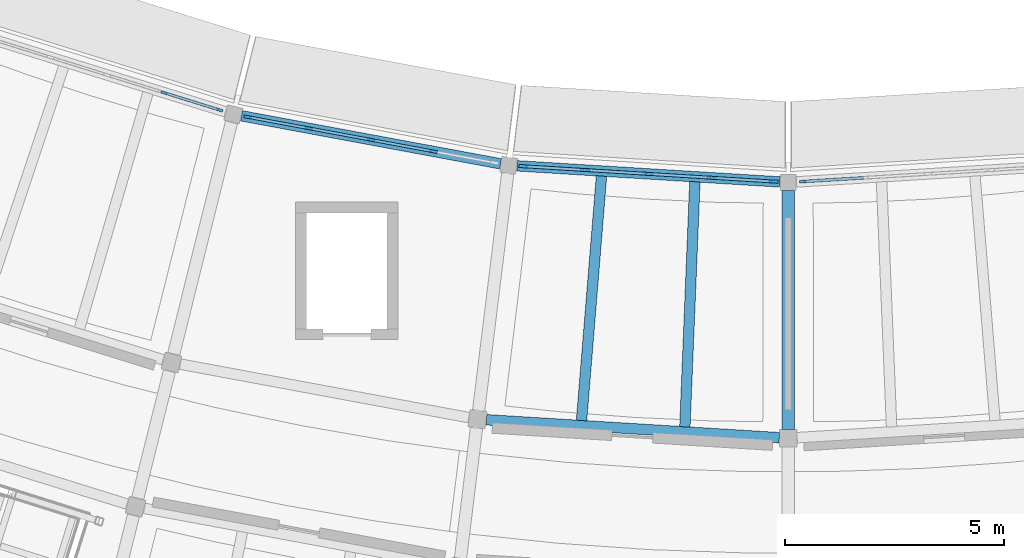
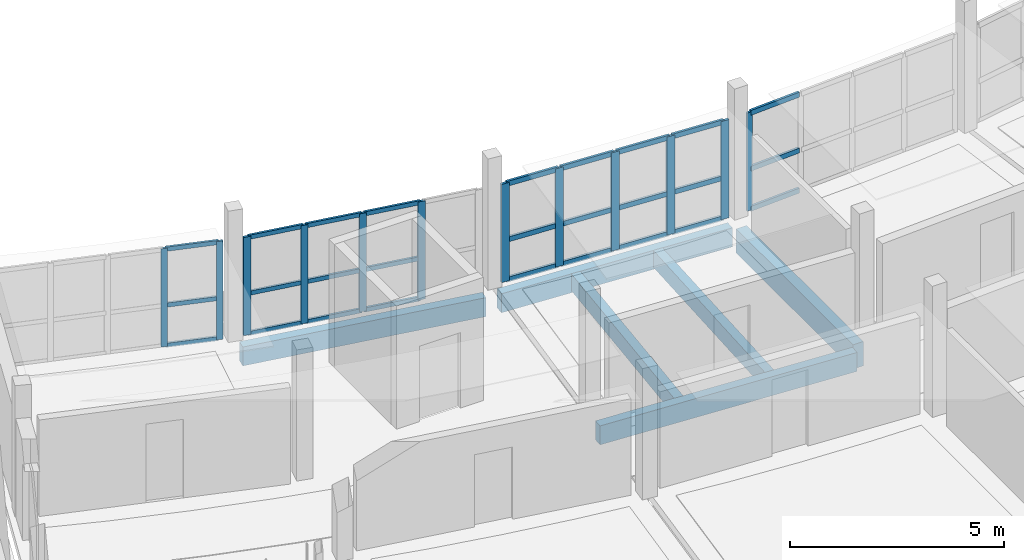
# One storey, part 13 of 36: 39 members, 6 beams, 4 elements without a shape of their own.
"""IFC4 building model written with IfcOpenShell, lengths in metres."""

from ifc_helpers import new_model, si_unit, direction, frame, origin, origin_2d, place, context, subcontext, project, spatial, rectangle, extrude, material, layer, layer_set, material_profile, profile_set, type_object, element, aggregate, save


model = new_model("IFC4")

# Units and contexts
model_context = context("Model", 3, precision=1e-05, world=origin(), true_north=direction((0.0, 1.0)))
body_context = subcontext(model_context, "Body", "Model", "MODEL_VIEW")
ifc_project = project(units=[si_unit("LENGTHUNIT", "METRE"), si_unit("AREAUNIT", "SQUARE_METRE"), si_unit("VOLUMEUNIT", "CUBIC_METRE"), si_unit("PLANEANGLEUNIT", "RADIAN"), si_unit("MASSUNIT", "GRAM", prefix="KILO")], contexts=[model_context])

# Site, building, storey
site_placement = place(None, origin())
site = spatial("IfcSite", under=ifc_project, at=site_placement, CompositionType="ELEMENT")
building_placement = place(site_placement, origin())
building = spatial("IfcBuilding", under=site, at=building_placement, Name="Caldaven Crescent School", CompositionType="ELEMENT")
storey_placement = place(building_placement, frame((0.0, 0.0, 11.89990234375)))
storey = spatial("IfcBuildingStorey", under=building, at=storey_placement, Name="L03", CompositionType="ELEMENT", Elevation=11.89990234375)

# Beams
ifc_material_1 = material(Name="Glulam MLE24h (GL28h)", Category="wood")
ifc_material_profile_1 = material_profile(ifc_material_1, rectangle(XDim=0.239990234375, YDim=0.5400390625, at=origin_2d()), Name="MLE 240x540")
ifc_profile_set_1 = profile_set([ifc_material_profile_1], Name="Glulam MLE24h (GL28h)")
beam_type_1 = type_object("IfcBeamType", Name="BM-GL54", PredefinedType="BEAM", material=ifc_profile_set_1)
beam_1_placement = place(storey_placement, frame((81.099609375, 38.1220703125, -0.52001953125), z_axis=(0.998133569693, -0.061068625755, 0.0), x_axis=(0.061068625755, 0.998133569693, 0.0)))
element("IfcBeam", 1, at=beam_1_placement, inside=storey, type_object=beam_type_1, Name="BMT-V5-L03-1435", PredefinedType="BEAM", context=body_context, shape_type="SweptSolid", body=[
    extrude(rectangle(XDim=0.239990234375, YDim=0.5400390625, at=origin_2d()), origin(), (0.0, 0.0, 1.0), 6.708251953125),
])
ifc_material_profile_2 = material_profile(ifc_material_1, rectangle(XDim=0.280029296875, YDim=0.68994140625, at=origin_2d()), Name="MLE 280x690")
ifc_profile_set_2 = profile_set([ifc_material_profile_2], Name="Glulam MLE24h (GL28h)")
beam_type_2 = type_object("IfcBeamType", Name="BM-GL69", PredefinedType="BEAM", material=ifc_profile_set_2)
beam_2_placement = place(storey_placement, frame((88.0, 43.360107421875, -0.594970703125), z_axis=(0.0, -1.0, 0.0), x_axis=(1.0, 0.0, 0.0)))
element("IfcBeam", 2, at=beam_2_placement, inside=storey, type_object=beam_type_2, Name="BMR-V5-L03-1404", PredefinedType="BEAM", context=body_context, shape_type="SweptSolid", body=[
    extrude(rectangle(XDim=0.280029296875, YDim=0.68994140625, at=origin_2d()), origin(), (0.0, 0.0, 1.0), 5.455078125),
])

# Curtain wall, members
ifc_material_2 = material(Name="Anodised aluminium AA 6063-T6 and low-E double glazing", Category="aluminium")
ifc_layer_1 = layer(ifc_material_2, 0.2099609375)
ifc_layer_set_1 = layer_set([ifc_layer_1], Name="Anodised aluminium AA 6063-T6 and low-E double glazing")
curtain_wall_type_1 = type_object("IfcCurtainWallType", Name="CW-SYS3", PredefinedType="NOTDEFINED", material=ifc_layer_set_1)
curtain_wall_1_placement = place(storey_placement, origin())
curtain_wall_1 = element("IfcCurtainWall", 3, at=curtain_wall_1_placement, inside=storey, type_object=curtain_wall_type_1, Name="CW-L03-155", PredefinedType="NOTDEFINED")
ifc_material_3 = material(Name="Anodised aluminium AA 6063-T6", Category="aluminium")
ifc_material_profile_3 = material_profile(ifc_material_3, rectangle(XDim=0.06005859375, YDim=0.14990234375, at=origin_2d()), Name="CWM 60x150")
ifc_profile_set_3 = profile_set([ifc_material_profile_3], Name="Anodised aluminium AA 6063-T6")
member_type_1 = type_object("IfcMemberType", Name="CWM-T1", PredefinedType="MULLION", material=ifc_profile_set_3)
member_1_placement = place(storey_placement, frame((73.7255859375, 45.60205078125, 0.0), z_axis=(0.0, 0.0, 1.0), x_axis=(0.297419758694, 0.954746818344, 0.0)))
member_1 = element("IfcMember", 4, at=member_1_placement, type_object=member_type_1, Name="CW3 mullion 4", PredefinedType="MULLION", context=body_context, shape_type="SweptSolid", body=[
    extrude(rectangle(XDim=0.06005859375, YDim=0.14990234375, at=origin_2d()), origin(), (0.0, 0.0, 1.0), 2.800048828125),
])
member_2_placement = place(storey_placement, frame((74.99609375, 45.2060546875, 0.0), z_axis=(0.0, 0.0, 1.0), x_axis=(0.297419758694, 0.954746818344, 0.0)))
member_2 = element("IfcMember", 5, at=member_2_placement, type_object=member_type_1, Name="CW3 mullion 5", PredefinedType="MULLION", context=body_context, shape_type="SweptSolid", body=[
    extrude(rectangle(XDim=0.06005859375, YDim=0.14990234375, at=origin_2d()), origin(), (0.0, 0.0, 1.0), 2.800048828125),
])

# Curtain wall, member
ifc_layer_2 = layer(ifc_material_2, 0.18994140625)
ifc_layer_set_2 = layer_set([ifc_layer_2], Name="Anodised aluminium AA 6063-T6 and low-E double glazing")
curtain_wall_type_2 = type_object("IfcCurtainWallType", Name="CW-SYS2", PredefinedType="NOTDEFINED", material=ifc_layer_set_2)
curtain_wall_2_placement = place(storey_placement, origin())
curtain_wall_2 = element("IfcCurtainWall", 6, at=curtain_wall_2_placement, inside=storey, type_object=curtain_wall_type_2, Name="CW-L03-160", PredefinedType="NOTDEFINED")
member_3_placement = place(storey_placement, frame((88.329345703125, 43.570068359375, 0.0), z_axis=(0.0, 0.0, 1.0), x_axis=(-0.061049319496, 0.998134750717, 0.0)))
member_3 = element("IfcMember", 7, at=member_3_placement, type_object=member_type_1, Name="CW2 mullion 1", PredefinedType="MULLION", context=body_context, shape_type="SweptSolid", body=[
    extrude(rectangle(XDim=0.06005859375, YDim=0.14990234375, at=origin_2d()), origin(), (0.0, 0.0, 1.0), 2.800048828125),
])

# Curtain wall, members
ifc_layer_3 = layer(ifc_material_2, 0.22998046875)
ifc_layer_set_3 = layer_set([ifc_layer_3], Name="Anodised aluminium AA 6063-T6 and low-E double glazing")
curtain_wall_type_3 = type_object("IfcCurtainWallType", Name="CW-SYS4", PredefinedType="NOTDEFINED", material=ifc_layer_set_3)
curtain_wall_3_placement = place(storey_placement, origin())
curtain_wall_3 = element("IfcCurtainWall", 8, at=curtain_wall_3_placement, inside=storey, type_object=curtain_wall_type_3, Name="CW-L03-157", PredefinedType="NOTDEFINED")
ifc_material_profile_4 = material_profile(ifc_material_3, rectangle(XDim=0.06494140625, YDim=0.179931640625, at=origin_2d()), Name="CWM 65x180")
ifc_profile_set_4 = profile_set([ifc_material_profile_4], Name="Anodised aluminium AA 6063-T6")
member_type_2 = type_object("IfcMemberType", Name="CWM-T2", PredefinedType="MULLION", material=ifc_profile_set_4)
member_4_placement = place(storey_placement, frame((75.63818359375, 45.04736328125, 0.0), z_axis=(0.0, 0.0, 1.0), x_axis=(0.182236405836, 0.983254744401, 0.0)))
member_4 = element("IfcMember", 9, at=member_4_placement, type_object=member_type_2, Name="CW4 mullion 1", PredefinedType="MULLION", context=body_context, shape_type="SweptSolid", body=[
    extrude(rectangle(XDim=0.06494140625, YDim=0.179931640625, at=origin_2d()), origin(), (0.0, 0.0, 1.0), 2.800048828125),
])
member_5_placement = place(storey_placement, frame((77.032958984375, 44.788818359375, 0.0), z_axis=(0.0, 0.0, 1.0), x_axis=(0.182236405836, 0.983254744401, 0.0)))
member_5 = element("IfcMember", 10, at=member_5_placement, type_object=member_type_2, Name="CW4 mullion 2", PredefinedType="MULLION", context=body_context, shape_type="SweptSolid", body=[
    extrude(rectangle(XDim=0.06494140625, YDim=0.179931640625, at=origin_2d()), origin(), (0.0, 0.0, 1.0), 2.800048828125),
])
member_6_placement = place(storey_placement, frame((78.45947265625, 44.5244140625, 0.0), z_axis=(0.0, 0.0, 1.0), x_axis=(0.182236405836, 0.983254744401, 0.0)))
member_6 = element("IfcMember", 11, at=member_6_placement, type_object=member_type_2, Name="CW4 mullion 3", PredefinedType="MULLION", context=body_context, shape_type="SweptSolid", body=[
    extrude(rectangle(XDim=0.06494140625, YDim=0.179931640625, at=origin_2d()), origin(), (0.0, 0.0, 1.0), 2.800048828125),
])
member_7_placement = place(storey_placement, frame((79.88623046875, 44.260009765625, 0.0), z_axis=(0.0, 0.0, 1.0), x_axis=(0.182236405836, 0.983254744401, 0.0)))
member_7 = element("IfcMember", 12, at=member_7_placement, type_object=member_type_2, Name="CW4 mullion 4", PredefinedType="MULLION", context=body_context, shape_type="SweptSolid", body=[
    extrude(rectangle(XDim=0.06494140625, YDim=0.179931640625, at=origin_2d()), origin(), (0.0, 0.0, 1.0), 2.800048828125),
])

ifc_layer_4 = layer(ifc_material_2, 0.169921875)
ifc_layer_set_4 = layer_set([ifc_layer_4], Name="Anodised aluminium AA 6063-T6 and low-E double glazing")
curtain_wall_type_4 = type_object("IfcCurtainWallType", Name="CW-SYS1", PredefinedType="NOTDEFINED", material=ifc_layer_set_4)
curtain_wall_4_placement = place(storey_placement, origin())
curtain_wall_4 = element("IfcCurtainWall", 13, at=curtain_wall_4_placement, inside=storey, type_object=curtain_wall_type_4, Name="CW-L03-158", PredefinedType="NOTDEFINED")
ifc_material_profile_5 = material_profile(ifc_material_3, rectangle(XDim=0.070068359375, YDim=0.2099609375, at=origin_2d()), Name="CWM 70x210")
ifc_profile_set_5 = profile_set([ifc_material_profile_5], Name="Anodised aluminium AA 6063-T6")
member_type_3 = type_object("IfcMemberType", Name="CWM-T3", PredefinedType="MULLION", material=ifc_profile_set_5)
member_8_placement = place(storey_placement, frame((81.9423828125, 43.92041015625, 0.0), z_axis=(0.0, 0.0, 1.0), x_axis=(0.061049319496, 0.998134750717, 0.0)))
member_8 = element("IfcMember", 14, at=member_8_placement, type_object=member_type_3, Name="CW1 mullion 1", PredefinedType="MULLION", context=body_context, shape_type="SweptSolid", body=[
    extrude(rectangle(XDim=0.070068359375, YDim=0.2099609375, at=origin_2d()), origin(), (0.0, 0.0, 1.0), 2.800048828125),
])
member_9_placement = place(storey_placement, frame((83.355712890625, 43.833984375, 0.0), z_axis=(0.0, 0.0, 1.0), x_axis=(0.061049319496, 0.998134750717, 0.0)))
member_9 = element("IfcMember", 15, at=member_9_placement, type_object=member_type_3, Name="CW1 mullion 2", PredefinedType="MULLION", context=body_context, shape_type="SweptSolid", body=[
    extrude(rectangle(XDim=0.070068359375, YDim=0.2099609375, at=origin_2d()), origin(), (0.0, 0.0, 1.0), 2.800048828125),
])
member_10_placement = place(storey_placement, frame((84.803955078125, 43.745361328125, 0.0), z_axis=(0.0, 0.0, 1.0), x_axis=(0.061049319496, 0.998134750717, 0.0)))
member_10 = element("IfcMember", 16, at=member_10_placement, type_object=member_type_3, Name="CW1 mullion 3", PredefinedType="MULLION", context=body_context, shape_type="SweptSolid", body=[
    extrude(rectangle(XDim=0.070068359375, YDim=0.2099609375, at=origin_2d()), origin(), (0.0, 0.0, 1.0), 2.800048828125),
])
member_11_placement = place(storey_placement, frame((86.252197265625, 43.656982421875, 0.0), z_axis=(0.0, 0.0, 1.0), x_axis=(0.061049319496, 0.998134750717, 0.0)))
member_11 = element("IfcMember", 17, at=member_11_placement, type_object=member_type_3, Name="CW1 mullion 4", PredefinedType="MULLION", context=body_context, shape_type="SweptSolid", body=[
    extrude(rectangle(XDim=0.070068359375, YDim=0.2099609375, at=origin_2d()), origin(), (0.0, 0.0, 1.0), 2.800048828125),
])
member_12_placement = place(storey_placement, frame((87.66552734375, 43.570556640625, 0.0), z_axis=(0.0, 0.0, 1.0), x_axis=(0.061049319496, 0.998134750717, 0.0)))
member_12 = element("IfcMember", 18, at=member_12_placement, type_object=member_type_3, Name="CW1 mullion 5", PredefinedType="MULLION", context=body_context, shape_type="SweptSolid", body=[
    extrude(rectangle(XDim=0.070068359375, YDim=0.2099609375, at=origin_2d()), origin(), (0.0, 0.0, 1.0), 2.800048828125),
])

# Member
ifc_material_profile_6 = material_profile(ifc_material_3, rectangle(XDim=0.06005859375, YDim=0.1201171875, at=origin_2d()), Name="CWT 60x120")
ifc_profile_set_6 = profile_set([ifc_material_profile_6], Name="Anodised aluminium AA 6063-T6")
member_type_4 = type_object("IfcMemberType", Name="CWT-T1", PredefinedType="USERDEFINED", material=ifc_profile_set_6)
member_13_placement = place(storey_placement, frame((73.754150390625, 45.593017578125, 0.030029296875), z_axis=(0.954759851562, -0.297377917549, 0.0), x_axis=(0.297377917549, 0.954759851562, 0.0)))
member_13 = element("IfcMember", 19, at=member_13_placement, type_object=member_type_4, Name="CW3 transom 4.1", ObjectType="TRANSOM", PredefinedType="USERDEFINED", context=body_context, shape_type="SweptSolid", body=[
    extrude(rectangle(XDim=0.06005859375, YDim=0.1201171875, at=origin_2d()), origin(), (0.0, 0.0, 1.0), 1.270751953125),
])

member_14_placement = place(storey_placement, frame((73.754150390625, 45.593017578125, 1.176025390625), z_axis=(0.954759851562, -0.297377917549, 0.0), x_axis=(0.297377917549, 0.954759851562, 0.0)))
member_14 = element("IfcMember", 20, at=member_14_placement, type_object=member_type_4, Name="CW3 transom 4.2", ObjectType="TRANSOM", PredefinedType="USERDEFINED", context=body_context, shape_type="SweptSolid", body=[
    extrude(rectangle(XDim=0.06005859375, YDim=0.1201171875, at=origin_2d()), origin(), (0.0, 0.0, 1.0), 1.270751953125),
])

member_15_placement = place(storey_placement, frame((73.754150390625, 45.593017578125, 2.77001953125), z_axis=(0.954759851562, -0.297377917549, 0.0), x_axis=(0.297377917549, 0.954759851562, 0.0)))
member_15 = element("IfcMember", 21, at=member_15_placement, type_object=member_type_4, Name="CW3 transom 4.3", ObjectType="TRANSOM", PredefinedType="USERDEFINED", context=body_context, shape_type="SweptSolid", body=[
    extrude(rectangle(XDim=0.06005859375, YDim=0.1201171875, at=origin_2d()), origin(), (0.0, 0.0, 1.0), 1.270751953125),
])

aggregate(curtain_wall_1, [member_1, member_2, member_13, member_14, member_15])

member_16_placement = place(storey_placement, frame((75.670166015625, 45.04150390625, 0.030029296875), z_axis=(0.983264057672, -0.182186149009, 0.0), x_axis=(0.182186149009, 0.983264057672, 0.0)))
member_16 = element("IfcMember", 22, at=member_16_placement, type_object=member_type_4, Name="CW4 transom 1.1", ObjectType="TRANSOM", PredefinedType="USERDEFINED", context=body_context, shape_type="SweptSolid", body=[
    extrude(rectangle(XDim=0.06005859375, YDim=0.1201171875, at=origin_2d()), origin(), (0.0, 0.0, 1.0), 1.353515625),
])

member_17_placement = place(storey_placement, frame((75.670166015625, 45.04150390625, 1.176025390625), z_axis=(0.983264057672, -0.182186149009, 0.0), x_axis=(0.182186149009, 0.983264057672, 0.0)))
member_17 = element("IfcMember", 23, at=member_17_placement, type_object=member_type_4, Name="CW4 transom 1.2", ObjectType="TRANSOM", PredefinedType="USERDEFINED", context=body_context, shape_type="SweptSolid", body=[
    extrude(rectangle(XDim=0.06005859375, YDim=0.1201171875, at=origin_2d()), origin(), (0.0, 0.0, 1.0), 1.353515625),
])

member_18_placement = place(storey_placement, frame((75.670166015625, 45.04150390625, 2.77001953125), z_axis=(0.983264057672, -0.182186149009, 0.0), x_axis=(0.182186149009, 0.983264057672, 0.0)))
member_18 = element("IfcMember", 24, at=member_18_placement, type_object=member_type_4, Name="CW4 transom 1.3", ObjectType="TRANSOM", PredefinedType="USERDEFINED", context=body_context, shape_type="SweptSolid", body=[
    extrude(rectangle(XDim=0.06005859375, YDim=0.1201171875, at=origin_2d()), origin(), (0.0, 0.0, 1.0), 1.353515625),
])

member_19_placement = place(storey_placement, frame((77.06494140625, 44.782958984375, 0.030029296875), z_axis=(0.983241097753, -0.182310020812, 0.0), x_axis=(0.182310020812, 0.983241097753, 0.0)))
member_19 = element("IfcMember", 25, at=member_19_placement, type_object=member_type_4, Name="CW4 transom 2.1", ObjectType="TRANSOM", PredefinedType="USERDEFINED", context=body_context, shape_type="SweptSolid", body=[
    extrude(rectangle(XDim=0.06005859375, YDim=0.1201171875, at=origin_2d()), origin(), (0.0, 0.0, 1.0), 1.385986328125),
])

member_20_placement = place(storey_placement, frame((77.06494140625, 44.782958984375, 1.176025390625), z_axis=(0.983241097753, -0.182310020812, 0.0), x_axis=(0.182310020812, 0.983241097753, 0.0)))
member_20 = element("IfcMember", 26, at=member_20_placement, type_object=member_type_4, Name="CW4 transom 2.2", ObjectType="TRANSOM", PredefinedType="USERDEFINED", context=body_context, shape_type="SweptSolid", body=[
    extrude(rectangle(XDim=0.06005859375, YDim=0.1201171875, at=origin_2d()), origin(), (0.0, 0.0, 1.0), 1.385986328125),
])

member_21_placement = place(storey_placement, frame((77.06494140625, 44.782958984375, 2.77001953125), z_axis=(0.983241097753, -0.182310020812, 0.0), x_axis=(0.182310020812, 0.983241097753, 0.0)))
member_21 = element("IfcMember", 27, at=member_21_placement, type_object=member_type_4, Name="CW4 transom 2.3", ObjectType="TRANSOM", PredefinedType="USERDEFINED", context=body_context, shape_type="SweptSolid", body=[
    extrude(rectangle(XDim=0.06005859375, YDim=0.1201171875, at=origin_2d()), origin(), (0.0, 0.0, 1.0), 1.385986328125),
])

member_22_placement = place(storey_placement, frame((78.491455078125, 44.5185546875, 0.030029296875), z_axis=(0.983241097753, -0.182310020812, 0.0), x_axis=(0.182310020812, 0.983241097753, 0.0)))
member_22 = element("IfcMember", 28, at=member_22_placement, type_object=member_type_4, Name="CW4 transom 3.1", ObjectType="TRANSOM", PredefinedType="USERDEFINED", context=body_context, shape_type="SweptSolid", body=[
    extrude(rectangle(XDim=0.06005859375, YDim=0.1201171875, at=origin_2d()), origin(), (0.0, 0.0, 1.0), 1.385986328125),
])

member_23_placement = place(storey_placement, frame((78.491455078125, 44.5185546875, 1.176025390625), z_axis=(0.983241097753, -0.182310020812, 0.0), x_axis=(0.182310020812, 0.983241097753, 0.0)))
member_23 = element("IfcMember", 29, at=member_23_placement, type_object=member_type_4, Name="CW4 transom 3.2", ObjectType="TRANSOM", PredefinedType="USERDEFINED", context=body_context, shape_type="SweptSolid", body=[
    extrude(rectangle(XDim=0.06005859375, YDim=0.1201171875, at=origin_2d()), origin(), (0.0, 0.0, 1.0), 1.385986328125),
])

member_24_placement = place(storey_placement, frame((78.491455078125, 44.5185546875, 2.77001953125), z_axis=(0.983241097753, -0.182310020812, 0.0), x_axis=(0.182310020812, 0.983241097753, 0.0)))
member_24 = element("IfcMember", 30, at=member_24_placement, type_object=member_type_4, Name="CW4 transom 3.3", ObjectType="TRANSOM", PredefinedType="USERDEFINED", context=body_context, shape_type="SweptSolid", body=[
    extrude(rectangle(XDim=0.06005859375, YDim=0.1201171875, at=origin_2d()), origin(), (0.0, 0.0, 1.0), 1.385986328125),
])

aggregate(curtain_wall_3, [member_4, member_5, member_6, member_7, member_16, member_17, member_18, member_19, member_20, member_21, member_22, member_23, member_24])

ifc_material_profile_7 = material_profile(ifc_material_3, rectangle(XDim=0.06494140625, YDim=0.139892578125, at=origin_2d()), Name="CWT 65x140")
ifc_profile_set_7 = profile_set([ifc_material_profile_7], Name="Anodised aluminium AA 6063-T6")
member_type_5 = type_object("IfcMemberType", Name="CWT-T2", PredefinedType="USERDEFINED", material=ifc_profile_set_7)
member_25_placement = place(storey_placement, frame((81.977294921875, 43.91845703125, 0.03271484375), z_axis=(0.998130130323, -0.06112481445, 0.0), x_axis=(0.06112481445, 0.998130130323, 0.0)))
member_25 = element("IfcMember", 31, at=member_25_placement, type_object=member_type_5, Name="CW1 transom 1.1", ObjectType="TRANSOM", PredefinedType="USERDEFINED", context=body_context, shape_type="SweptSolid", body=[
    extrude(rectangle(XDim=0.06494140625, YDim=0.139892578125, at=origin_2d()), origin(), (0.0, 0.0, 1.0), 1.345947265625),
])

member_26_placement = place(storey_placement, frame((81.977294921875, 43.91845703125, 1.176025390625), z_axis=(0.998130130323, -0.06112481445, 0.0), x_axis=(0.06112481445, 0.998130130323, 0.0)))
member_26 = element("IfcMember", 32, at=member_26_placement, type_object=member_type_5, Name="CW1 transom 1.2", ObjectType="TRANSOM", PredefinedType="USERDEFINED", context=body_context, shape_type="SweptSolid", body=[
    extrude(rectangle(XDim=0.06494140625, YDim=0.139892578125, at=origin_2d()), origin(), (0.0, 0.0, 1.0), 1.345947265625),
])

member_27_placement = place(storey_placement, frame((81.977294921875, 43.91845703125, 2.767578125), z_axis=(0.998130130323, -0.06112481445, 0.0), x_axis=(0.06112481445, 0.998130130323, 0.0)))
member_27 = element("IfcMember", 33, at=member_27_placement, type_object=member_type_5, Name="CW1 transom 1.3", ObjectType="TRANSOM", PredefinedType="USERDEFINED", context=body_context, shape_type="SweptSolid", body=[
    extrude(rectangle(XDim=0.06494140625, YDim=0.139892578125, at=origin_2d()), origin(), (0.0, 0.0, 1.0), 1.345947265625),
])

member_28_placement = place(storey_placement, frame((83.390625, 43.83203125, 0.03271484375), z_axis=(0.998127510881, -0.061167573285, 0.0), x_axis=(0.061167573285, 0.998127510881, 0.0)))
member_28 = element("IfcMember", 34, at=member_28_placement, type_object=member_type_5, Name="CW1 transom 2.1", ObjectType="TRANSOM", PredefinedType="USERDEFINED", context=body_context, shape_type="SweptSolid", body=[
    extrude(rectangle(XDim=0.06494140625, YDim=0.139892578125, at=origin_2d()), origin(), (0.0, 0.0, 1.0), 1.381103515625),
])

member_29_placement = place(storey_placement, frame((83.390625, 43.83203125, 1.176025390625), z_axis=(0.998127510881, -0.061167573285, 0.0), x_axis=(0.061167573285, 0.998127510881, 0.0)))
member_29 = element("IfcMember", 35, at=member_29_placement, type_object=member_type_5, Name="CW1 transom 2.2", ObjectType="TRANSOM", PredefinedType="USERDEFINED", context=body_context, shape_type="SweptSolid", body=[
    extrude(rectangle(XDim=0.06494140625, YDim=0.139892578125, at=origin_2d()), origin(), (0.0, 0.0, 1.0), 1.381103515625),
])

member_30_placement = place(storey_placement, frame((83.390625, 43.83203125, 2.767578125), z_axis=(0.998127510881, -0.061167573285, 0.0), x_axis=(0.061167573285, 0.998127510881, 0.0)))
member_30 = element("IfcMember", 36, at=member_30_placement, type_object=member_type_5, Name="CW1 transom 2.3", ObjectType="TRANSOM", PredefinedType="USERDEFINED", context=body_context, shape_type="SweptSolid", body=[
    extrude(rectangle(XDim=0.06494140625, YDim=0.139892578125, at=origin_2d()), origin(), (0.0, 0.0, 1.0), 1.381103515625),
])

member_31_placement = place(storey_placement, frame((84.8388671875, 43.743408203125, 0.03271484375), z_axis=(0.998127510881, -0.061167573285, 0.0), x_axis=(0.061167573285, 0.998127510881, 0.0)))
member_31 = element("IfcMember", 37, at=member_31_placement, type_object=member_type_5, Name="CW1 transom 3.1", ObjectType="TRANSOM", PredefinedType="USERDEFINED", context=body_context, shape_type="SweptSolid", body=[
    extrude(rectangle(XDim=0.06494140625, YDim=0.139892578125, at=origin_2d()), origin(), (0.0, 0.0, 1.0), 1.381103515625),
])

member_32_placement = place(storey_placement, frame((84.8388671875, 43.743408203125, 1.176025390625), z_axis=(0.998127510881, -0.061167573285, 0.0), x_axis=(0.061167573285, 0.998127510881, 0.0)))
member_32 = element("IfcMember", 38, at=member_32_placement, type_object=member_type_5, Name="CW1 transom 3.2", ObjectType="TRANSOM", PredefinedType="USERDEFINED", context=body_context, shape_type="SweptSolid", body=[
    extrude(rectangle(XDim=0.06494140625, YDim=0.139892578125, at=origin_2d()), origin(), (0.0, 0.0, 1.0), 1.381103515625),
])

member_33_placement = place(storey_placement, frame((84.8388671875, 43.743408203125, 2.767578125), z_axis=(0.998127510881, -0.061167573285, 0.0), x_axis=(0.061167573285, 0.998127510881, 0.0)))
member_33 = element("IfcMember", 39, at=member_33_placement, type_object=member_type_5, Name="CW1 transom 3.3", ObjectType="TRANSOM", PredefinedType="USERDEFINED", context=body_context, shape_type="SweptSolid", body=[
    extrude(rectangle(XDim=0.06494140625, YDim=0.139892578125, at=origin_2d()), origin(), (0.0, 0.0, 1.0), 1.381103515625),
])

member_34_placement = place(storey_placement, frame((86.287109375, 43.65478515625, 0.03271484375), z_axis=(0.998130130323, -0.06112481445, 0.0), x_axis=(0.06112481445, 0.998130130323, 0.0)))
member_34 = element("IfcMember", 40, at=member_34_placement, type_object=member_type_5, Name="CW1 transom 4.1", ObjectType="TRANSOM", PredefinedType="USERDEFINED", context=body_context, shape_type="SweptSolid", body=[
    extrude(rectangle(XDim=0.06494140625, YDim=0.139892578125, at=origin_2d()), origin(), (0.0, 0.0, 1.0), 1.345947265625),
])

member_35_placement = place(storey_placement, frame((86.287109375, 43.65478515625, 1.176025390625), z_axis=(0.998130130323, -0.06112481445, 0.0), x_axis=(0.06112481445, 0.998130130323, 0.0)))
member_35 = element("IfcMember", 41, at=member_35_placement, type_object=member_type_5, Name="CW1 transom 4.2", ObjectType="TRANSOM", PredefinedType="USERDEFINED", context=body_context, shape_type="SweptSolid", body=[
    extrude(rectangle(XDim=0.06494140625, YDim=0.139892578125, at=origin_2d()), origin(), (0.0, 0.0, 1.0), 1.345947265625),
])

member_36_placement = place(storey_placement, frame((86.287109375, 43.65478515625, 2.767578125), z_axis=(0.998130130323, -0.06112481445, 0.0), x_axis=(0.06112481445, 0.998130130323, 0.0)))
member_36 = element("IfcMember", 42, at=member_36_placement, type_object=member_type_5, Name="CW1 transom 4.3", ObjectType="TRANSOM", PredefinedType="USERDEFINED", context=body_context, shape_type="SweptSolid", body=[
    extrude(rectangle(XDim=0.06494140625, YDim=0.139892578125, at=origin_2d()), origin(), (0.0, 0.0, 1.0), 1.345947265625),
])

aggregate(curtain_wall_4, [member_8, member_9, member_10, member_11, member_12, member_25, member_26, member_27, member_28, member_29, member_30, member_31, member_32, member_33, member_34, member_35, member_36])

member_37_placement = place(storey_placement, frame((88.359375, 43.572021484375, 0.03271484375), z_axis=(0.998138172654, 0.06099334628, 0.0), x_axis=(-0.06099334628, 0.998138172654, 0.0)))
member_37 = element("IfcMember", 43, at=member_37_placement, type_object=member_type_5, Name="CW2 transom 1.1", ObjectType="TRANSOM", PredefinedType="USERDEFINED", context=body_context, shape_type="SweptSolid", body=[
    extrude(rectangle(XDim=0.06494140625, YDim=0.139892578125, at=origin_2d()), origin(), (0.0, 0.0, 1.0), 1.36083984375),
])

member_38_placement = place(storey_placement, frame((88.359375, 43.572021484375, 1.176025390625), z_axis=(0.998138172654, 0.06099334628, 0.0), x_axis=(-0.06099334628, 0.998138172654, 0.0)))
member_38 = element("IfcMember", 44, at=member_38_placement, type_object=member_type_5, Name="CW2 transom 1.2", ObjectType="TRANSOM", PredefinedType="USERDEFINED", context=body_context, shape_type="SweptSolid", body=[
    extrude(rectangle(XDim=0.06494140625, YDim=0.139892578125, at=origin_2d()), origin(), (0.0, 0.0, 1.0), 1.36083984375),
])

member_39_placement = place(storey_placement, frame((88.359375, 43.572021484375, 2.767578125), z_axis=(0.998138172654, 0.06099334628, 0.0), x_axis=(-0.06099334628, 0.998138172654, 0.0)))
member_39 = element("IfcMember", 45, at=member_39_placement, type_object=member_type_5, Name="CW2 transom 1.3", ObjectType="TRANSOM", PredefinedType="USERDEFINED", context=body_context, shape_type="SweptSolid", body=[
    extrude(rectangle(XDim=0.06494140625, YDim=0.139892578125, at=origin_2d()), origin(), (0.0, 0.0, 1.0), 1.36083984375),
])

aggregate(curtain_wall_2, [member_3, member_37, member_38, member_39])

# Beams
ifc_material_profile_8 = material_profile(ifc_material_1, rectangle(XDim=0.239990234375, YDim=0.47998046875, at=origin_2d()), Name="MLE 240x480")
ifc_profile_set_8 = profile_set([ifc_material_profile_8], Name="Glulam MLE24h (GL28h)")
beam_type_3 = type_object("IfcBeamType", Name="JS-GL48", PredefinedType="JOIST", material=ifc_profile_set_8)
for number, where, z_axis, x_axis, name in (
    (46, (83.729248046875, 43.696044921875, -0.489990234375), (-0.081374360202, -0.996683607521, 0.0), (0.996683607521, -0.081374360202, 0.0), "JSR-V5-L03-1439"),
    (47, (85.86474609375, 43.5654296875, -0.489990234375), (-0.040730946432, -0.999170150676, 0.0), (0.999170150676, -0.040730946432, 0.0), "JSR-V5-L03-1441"),
):
    element("IfcBeam", number, at=place(storey_placement, frame(where, z_axis=z_axis, x_axis=x_axis)), inside=storey, type_object=beam_type_3, Name=name, PredefinedType="JOIST", context=body_context, shape_type="SweptSolid", body=[
        extrude(rectangle(XDim=0.239990234375, YDim=0.47998046875, at=origin_2d()), origin(), (0.0, 0.0, 1.0), 5.6103515625),
    ])
ifc_material_profile_9 = material_profile(ifc_material_1, rectangle(XDim=0.239990234375, YDim=0.5400390625, at=origin_2d()), Name="MLE 240x540")
ifc_profile_set_9 = profile_set([ifc_material_profile_9], Name="Glulam MLE24h (GL28h)")
beam_type_4 = type_object("IfcBeamType", Name="SP-GL54", PredefinedType="SPANDREL", material=ifc_profile_set_9)
for number, where, z_axis, x_axis, name in (
    (48, (75.498046875, 45.0732421875, -0.52001953125), (0.98325861513, -0.18221552012, 0.0), (0.18221552012, 0.98325861513, 0.0), "BMT-V5-L03-1427"),
    (49, (81.797607421875, 43.929443359375, -0.52001953125), (0.998133101455, -0.061076278378, 0.0), (0.061076278378, 0.998133101455, 0.0), "BMT-V5-L03-1434"),
):
    element("IfcBeam", number, at=place(storey_placement, frame(where, z_axis=z_axis, x_axis=x_axis)), inside=storey, type_object=beam_type_4, Name=name, PredefinedType="SPANDREL", context=body_context, shape_type="SweptSolid", body=[
        extrude(rectangle(XDim=0.239990234375, YDim=0.5400390625, at=origin_2d()), origin(), (0.0, 0.0, 1.0), 6.02392578125),
    ])

save(model, "model.ifc")
